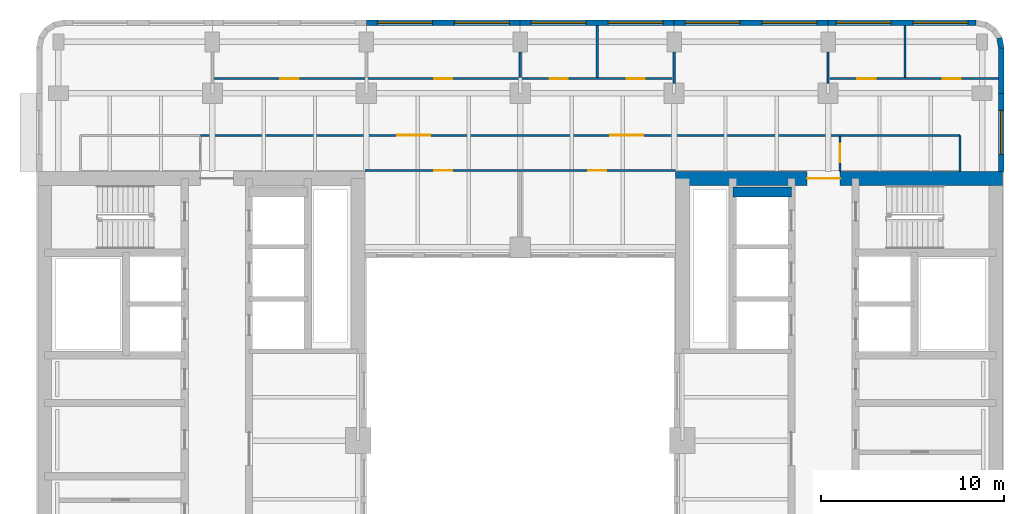
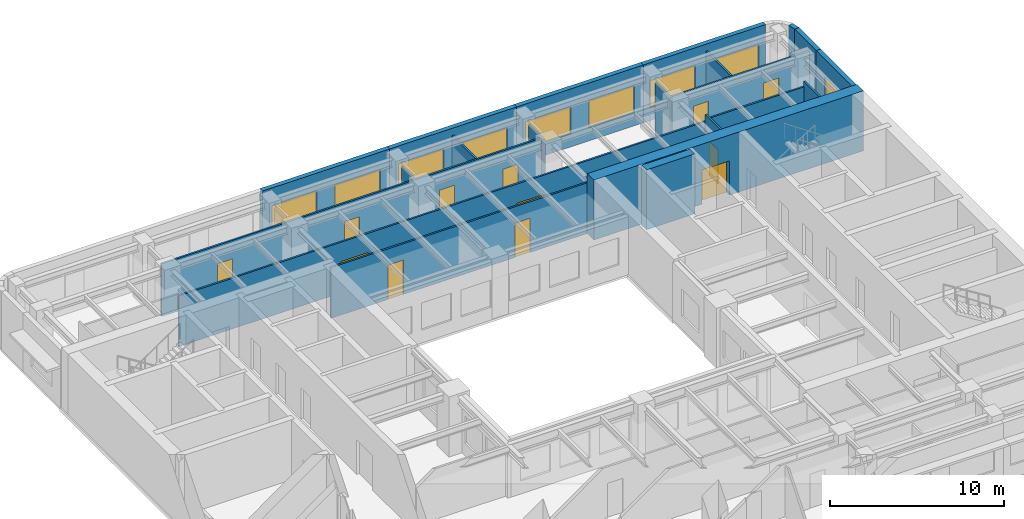
# One storey, part 7 of 11: 21 walls, 12 doors, 9 windows, 21 openings.
"""IFC4 building model written with IfcOpenShell, lengths in metres."""

from ifc_helpers import new_model, si_unit, direction, frame, frame_2d, origin, place, context, subcontext, project, spatial, rectangle, extrude, material, layer, layer_set, type_object, element, fill, save


model = new_model("IFC4")

# Units and contexts
model_context = context("Model", 3, precision=1e-05, world=origin(), true_north=direction((0.0, 1.0)))
body_context = subcontext(model_context, "Body", "Model", "MODEL_VIEW")
ifc_project = project(units=[si_unit("LENGTHUNIT", "METRE"), si_unit("AREAUNIT", "SQUARE_METRE"), si_unit("VOLUMEUNIT", "CUBIC_METRE"), si_unit("PLANEANGLEUNIT", "RADIAN"), si_unit("MASSUNIT", "GRAM", prefix="KILO")], contexts=[model_context])

# Site, building, storey
site_placement = place(None, origin())
site = spatial("IfcSite", under=ifc_project, at=site_placement, CompositionType="ELEMENT")
building_placement = place(site_placement, origin())
building = spatial("IfcBuilding", under=site, at=building_placement, Name="Claustro Exchange Tower", CompositionType="ELEMENT")
storey_placement = place(building_placement, frame((0.0, 0.0, 228.0)))
storey = spatial("IfcBuildingStorey", under=building, at=storey_placement, Name="L52", CompositionType="ELEMENT", Elevation=228.0)

# Wall, openings, doors
ifc_material_1 = material(Name="Laminated glass in aluminium frame", Category="aluminium")
ifc_layer_1 = layer(ifc_material_1, 0.1201171875)
ifc_layer_set_1 = layer_set([ifc_layer_1], Name="Laminated glass in aluminium frame")
wall_type_1 = type_object("IfcWallType", Name="P2 120 glazed partition", PredefinedType="PARTITIONING", material=ifc_layer_set_1)
wall_1_placement = place(storey_placement, frame((8.39990234375, 42.800048828125, 0.0), z_axis=(0.0, 0.0, 1.0), x_axis=(1.0, 0.0, 0.0)))
wall_1 = element("IfcWall", 1, at=wall_1_placement, inside=storey, type_object=wall_type_1, Name="Partition P2 L52", PredefinedType="PARTITIONING", context=body_context, shape_type="SweptSolid", body=[
    extrude(rectangle(XDim=25.2001953125, YDim=0.1201171875, at=frame_2d((12.60009765625, 0.0))), origin(), (0.0, 0.0, 1.0), 3.68994140625),
])
opening_1_placement = place(wall_1_placement, frame((3.699951171875, 0.0, 0.0)))
opening_1 = element("IfcOpeningElement", 2, at=opening_1_placement, cuts=wall_1, Name="Opening D7", PredefinedType="OPENING", context=body_context, shape_type="SweptSolid", body=[
    extrude(rectangle(XDim=1.0, YDim=2.39990234375, at=frame_2d((0.5, 1.199951171875))), frame((0.0, 0.070068359375, 0.0), z_axis=(0.0, -1.0, 0.0), x_axis=(1.0, 0.0, 0.0)), (0.0, 0.0, 1.0), 0.14013671875),
])
opening_2_placement = place(wall_1_placement, frame((12.10009765625, 0.0, 0.0)))
opening_2 = element("IfcOpeningElement", 3, at=opening_2_placement, cuts=wall_1, Name="Opening D7", PredefinedType="OPENING", context=body_context, shape_type="SweptSolid", body=[
    extrude(rectangle(XDim=1.0, YDim=2.39990234375, at=frame_2d((0.5, 1.199951171875))), frame((0.0, 0.070068359375, 0.0), z_axis=(0.0, -1.0, 0.0), x_axis=(1.0, 0.0, 0.0)), (0.0, 0.0, 1.0), 0.14013671875),
])
opening_3_placement = place(wall_1_placement, frame((18.39990234375, 0.0, 0.0)))
opening_3 = element("IfcOpeningElement", 4, at=opening_3_placement, cuts=wall_1, Name="Opening D7", PredefinedType="OPENING", context=body_context, shape_type="SweptSolid", body=[
    extrude(rectangle(XDim=1.0, YDim=2.39990234375, at=frame_2d((0.5, 1.199951171875))), frame((0.0, 0.070068359375, 0.0), z_axis=(0.0, -1.0, 0.0), x_axis=(1.0, 0.0, 0.0)), (0.0, 0.0, 1.0), 0.14013671875),
])
opening_4_placement = place(wall_1_placement, frame((22.60009765625, 0.0, 0.0)))
opening_4 = element("IfcOpeningElement", 5, at=opening_4_placement, cuts=wall_1, Name="Opening D7", PredefinedType="OPENING", context=body_context, shape_type="SweptSolid", body=[
    extrude(rectangle(XDim=1.0, YDim=2.39990234375, at=frame_2d((0.5, 1.199951171875))), frame((0.0, 0.070068359375, 0.0), z_axis=(0.0, -1.0, 0.0), x_axis=(1.0, 0.0, 0.0)), (0.0, 0.0, 1.0), 0.14013671875),
])
ifc_material_2 = material(Name="Glass door in aluminium frame", Category="aluminium")
door_type_1 = type_object("IfcDoorType", Name="D7 1000 x 2400 glazed door", OperationType="SINGLE_SWING_LEFT", PredefinedType="DOOR", material=ifc_material_2)
door_1_placement = place(opening_1_placement, origin())
door_1 = element("IfcDoor", 6, at=door_1_placement, inside=storey, type_object=door_type_1, Name="Door D7 L52", OperationType="SINGLE_SWING_LEFT", OverallHeight=2.39990234375, OverallWidth=1.0, PredefinedType="DOOR", context=body_context, shape_type="SweptSolid", body=[
    extrude(rectangle(XDim=1.0, YDim=2.39990234375, at=frame_2d((0.5, 1.199951171875))), frame((0.0, 0.02490234375, 0.0), z_axis=(0.0, -1.0, 0.0), x_axis=(1.0, 0.0, 0.0)), (0.0, 0.0, 1.0), 0.050048828125),
])
fill(opening_1, door_1)
door_2_placement = place(opening_2_placement, origin())
door_2 = element("IfcDoor", 7, at=door_2_placement, inside=storey, type_object=door_type_1, Name="Door D7 L52", OperationType="SINGLE_SWING_RIGHT", OverallHeight=2.39990234375, OverallWidth=1.0, PredefinedType="DOOR", context=body_context, shape_type="SweptSolid", body=[
    extrude(rectangle(XDim=1.0, YDim=2.39990234375, at=frame_2d((0.5, 1.199951171875))), frame((0.0, 0.02490234375, 0.0), z_axis=(0.0, -1.0, 0.0), x_axis=(1.0, 0.0, 0.0)), (0.0, 0.0, 1.0), 0.050048828125),
])
fill(opening_2, door_2)
door_3_placement = place(opening_3_placement, origin())
door_3 = element("IfcDoor", 8, at=door_3_placement, inside=storey, type_object=door_type_1, Name="Door D7 L52", OperationType="SINGLE_SWING_LEFT", OverallHeight=2.39990234375, OverallWidth=1.0, PredefinedType="DOOR", context=body_context, shape_type="SweptSolid", body=[
    extrude(rectangle(XDim=1.0, YDim=2.39990234375, at=frame_2d((0.5, 1.199951171875))), frame((0.0, 0.02490234375, 0.0), z_axis=(0.0, -1.0, 0.0), x_axis=(1.0, 0.0, 0.0)), (0.0, 0.0, 1.0), 0.050048828125),
])
fill(opening_3, door_3)
door_4_placement = place(opening_4_placement, origin())
door_4 = element("IfcDoor", 9, at=door_4_placement, inside=storey, type_object=door_type_1, Name="Door D7 L52", OperationType="SINGLE_SWING_LEFT", OverallHeight=2.39990234375, OverallWidth=1.0, PredefinedType="DOOR", context=body_context, shape_type="SweptSolid", body=[
    extrude(rectangle(XDim=1.0, YDim=2.39990234375, at=frame_2d((0.5, 1.199951171875))), frame((0.0, 0.02490234375, 0.0), z_axis=(0.0, -1.0, 0.0), x_axis=(1.0, 0.0, 0.0)), (0.0, 0.0, 1.0), 0.050048828125),
])
fill(opening_4, door_4)

# Walls
wall_2_placement = place(storey_placement, frame((25.199951171875, 42.85791015625, 0.0), z_axis=(0.0, 0.0, 1.0), x_axis=(0.0, 1.0, 0.0)))
element("IfcWall", 10, at=wall_2_placement, inside=storey, type_object=wall_type_1, Name="Partition P2 L52", PredefinedType="PARTITIONING", context=body_context, shape_type="SweptSolid", body=[
    extrude(rectangle(XDim=1.39306640625, YDim=0.1201171875, at=frame_2d((0.696533203125, 0.0))), origin(), (0.0, 0.0, 1.0), 3.68994140625),
])
wall_3_placement = place(storey_placement, frame((29.39990234375, 42.85791015625, 0.0), z_axis=(0.0, 0.0, 1.0), x_axis=(0.0, 1.0, 0.0)))
element("IfcWall", 11, at=wall_3_placement, inside=storey, type_object=wall_type_1, Name="Partition P2 L52", PredefinedType="PARTITIONING", context=body_context, shape_type="SweptSolid", body=[
    extrude(rectangle(XDim=2.843994140625, YDim=0.1201171875, at=frame_2d((1.421875, 0.0))), origin(), (0.0, 0.0, 1.0), 3.56005859375),
])
wall_4_placement = place(storey_placement, frame((33.60009765625, 42.548095703125, 0.0), z_axis=(0.0, 0.0, 1.0), x_axis=(0.0, 1.0, 0.0)))
element("IfcWall", 12, at=wall_4_placement, inside=storey, type_object=wall_type_1, Name="Partition P2 L52", PredefinedType="PARTITIONING", context=body_context, shape_type="SweptSolid", body=[
    extrude(rectangle(XDim=1.702880859375, YDim=0.1201171875, at=frame_2d((0.8515625, 0.0))), origin(), (0.0, 0.0, 1.0), 3.68994140625),
])

# Wall, openings, doors
wall_5_placement = place(storey_placement, frame((42.0, 42.800048828125, 0.0), z_axis=(0.0, 0.0, 1.0), x_axis=(1.0, 0.0, 0.0)))
wall_5 = element("IfcWall", 13, at=wall_5_placement, inside=storey, type_object=wall_type_1, Name="Partition P2 L52", PredefinedType="PARTITIONING", context=body_context, shape_type="SweptSolid", body=[
    extrude(rectangle(XDim=9.302001953125, YDim=0.1201171875, at=frame_2d((4.65087890625, 0.0))), origin(), (0.0, 0.0, 1.0), 3.56005859375),
])
opening_5_placement = place(wall_5_placement, frame((1.60009765625, 0.0, 0.0)))
opening_5 = element("IfcOpeningElement", 14, at=opening_5_placement, cuts=wall_5, Name="Opening D7", PredefinedType="OPENING", context=body_context, shape_type="SweptSolid", body=[
    extrude(rectangle(XDim=1.0, YDim=2.39990234375, at=frame_2d((0.5, 1.199951171875))), frame((0.0, 0.070068359375, 0.0), z_axis=(0.0, -1.0, 0.0), x_axis=(1.0, 0.0, 0.0)), (0.0, 0.0, 1.0), 0.14013671875),
])
opening_6_placement = place(wall_5_placement, frame((6.25, 0.0, 0.0)))
opening_6 = element("IfcOpeningElement", 15, at=opening_6_placement, cuts=wall_5, Name="Opening D7", PredefinedType="OPENING", context=body_context, shape_type="SweptSolid", body=[
    extrude(rectangle(XDim=1.0, YDim=2.39990234375, at=frame_2d((0.5, 1.199951171875))), frame((0.0, 0.070068359375, 0.0), z_axis=(0.0, -1.0, 0.0), x_axis=(1.0, 0.0, 0.0)), (0.0, 0.0, 1.0), 0.14013671875),
])
door_5_placement = place(opening_5_placement, origin())
door_5 = element("IfcDoor", 16, at=door_5_placement, inside=storey, type_object=door_type_1, Name="Door D7 L52", OperationType="SINGLE_SWING_LEFT", OverallHeight=2.39990234375, OverallWidth=1.0, PredefinedType="DOOR", context=body_context, shape_type="SweptSolid", body=[
    extrude(rectangle(XDim=1.0, YDim=2.39990234375, at=frame_2d((0.5, 1.199951171875))), frame((0.0, 0.02490234375, 0.0), z_axis=(0.0, -1.0, 0.0), x_axis=(1.0, 0.0, 0.0)), (0.0, 0.0, 1.0), 0.050048828125),
])
fill(opening_5, door_5)
door_6_placement = place(opening_6_placement, origin())
door_6 = element("IfcDoor", 17, at=door_6_placement, inside=storey, type_object=door_type_1, Name="Door D7 L52", OperationType="SINGLE_SWING_LEFT", OverallHeight=2.39990234375, OverallWidth=1.0, PredefinedType="DOOR", context=body_context, shape_type="SweptSolid", body=[
    extrude(rectangle(XDim=1.0, YDim=2.39990234375, at=frame_2d((0.5, 1.199951171875))), frame((0.0, 0.02490234375, 0.0), z_axis=(0.0, -1.0, 0.0), x_axis=(1.0, 0.0, 0.0)), (0.0, 0.0, 1.0), 0.050048828125),
])
fill(opening_6, door_6)

# Walls
wall_6_placement = place(storey_placement, frame((42.0, 42.548095703125, 0.0), z_axis=(0.0, 0.0, 1.0), x_axis=(0.0, 1.0, 0.0)))
element("IfcWall", 18, at=wall_6_placement, inside=storey, type_object=wall_type_1, Name="Partition P2 L52", PredefinedType="PARTITIONING", context=body_context, shape_type="SweptSolid", body=[
    extrude(rectangle(XDim=1.702880859375, YDim=0.1201171875, at=frame_2d((0.8515625, 0.0))), origin(), (0.0, 0.0, 1.0), 3.68994140625),
])
wall_7_placement = place(storey_placement, frame((46.199951171875, 42.85791015625, 0.0), z_axis=(0.0, 0.0, 1.0), x_axis=(0.0, 1.0, 0.0)))
element("IfcWall", 19, at=wall_7_placement, inside=storey, type_object=wall_type_1, Name="Partition P2 L52", PredefinedType="PARTITIONING", context=body_context, shape_type="SweptSolid", body=[
    extrude(rectangle(XDim=2.843994140625, YDim=0.1201171875, at=frame_2d((1.421875, 0.0))), origin(), (0.0, 0.0, 1.0), 3.56005859375),
])

# Wall, openings, doors
wall_8_placement = place(storey_placement, frame((7.748046875, 39.699951171875, 0.0), z_axis=(0.0, 0.0, 1.0), x_axis=(1.0, 0.0, 0.0)))
wall_8 = element("IfcWall", 20, at=wall_8_placement, inside=storey, type_object=wall_type_1, Name="Partition P2 L52", PredefinedType="PARTITIONING", context=body_context, shape_type="SweptSolid", body=[
    extrude(rectangle(XDim=34.904052734375, YDim=0.1201171875, at=frame_2d((17.4521484375, 0.0))), origin(), (0.0, 0.0, 1.0), 3.550048828125),
])
opening_7_placement = place(wall_8_placement, frame((10.7353515625, 0.0, 0.0)))
opening_7 = element("IfcOpeningElement", 21, at=opening_7_placement, cuts=wall_8, Name="Opening D2", PredefinedType="OPENING", context=body_context, shape_type="SweptSolid", body=[
    extrude(rectangle(XDim=1.800048828125, YDim=2.199951171875, at=frame_2d((0.89990234375, 1.10009765625))), frame((0.0, 0.070068359375, 0.0), z_axis=(0.0, -1.0, 0.0), x_axis=(1.0, 0.0, 0.0)), (0.0, 0.0, 1.0), 0.14013671875),
])
opening_8_placement = place(wall_8_placement, frame((22.36865234375, 0.0, 0.0)))
opening_8 = element("IfcOpeningElement", 22, at=opening_8_placement, cuts=wall_8, Name="Opening D2", PredefinedType="OPENING", context=body_context, shape_type="SweptSolid", body=[
    extrude(rectangle(XDim=1.800048828125, YDim=2.199951171875, at=frame_2d((0.89990234375, 1.10009765625))), frame((0.0, 0.070068359375, 0.0), z_axis=(0.0, -1.0, 0.0), x_axis=(1.0, 0.0, 0.0)), (0.0, 0.0, 1.0), 0.14013671875),
])
ifc_material_3 = material(Name="Timber door, oak veneer", Category="wood")
door_type_2 = type_object("IfcDoorType", Name="D2 1800 x 2200 double door", OperationType="DOUBLE_DOOR_SINGLE_SWING", PredefinedType="DOOR", material=ifc_material_3)
door_7_placement = place(opening_7_placement, origin())
door_7 = element("IfcDoor", 23, at=door_7_placement, inside=storey, type_object=door_type_2, Name="Double door D2 L52", OperationType="DOUBLE_DOOR_SINGLE_SWING", OverallHeight=2.199951171875, OverallWidth=1.800048828125, PredefinedType="DOOR", context=body_context, shape_type="SweptSolid", body=[
    extrude(rectangle(XDim=1.800048828125, YDim=2.199951171875, at=frame_2d((0.89990234375, 1.10009765625))), frame((0.0, 0.02490234375, 0.0), z_axis=(0.0, -1.0, 0.0), x_axis=(1.0, 0.0, 0.0)), (0.0, 0.0, 1.0), 0.050048828125),
])
fill(opening_7, door_7)
door_8_placement = place(opening_8_placement, origin())
door_8 = element("IfcDoor", 24, at=door_8_placement, inside=storey, type_object=door_type_2, Name="Double door D2 L52", OperationType="DOUBLE_DOOR_SINGLE_SWING", OverallHeight=2.199951171875, OverallWidth=1.800048828125, PredefinedType="DOOR", context=body_context, shape_type="SweptSolid", body=[
    extrude(rectangle(XDim=1.800048828125, YDim=2.199951171875, at=frame_2d((0.89990234375, 1.10009765625))), frame((0.0, 0.02490234375, 0.0), z_axis=(0.0, -1.0, 0.0), x_axis=(1.0, 0.0, 0.0)), (0.0, 0.0, 1.0), 0.050048828125),
])
fill(opening_8, door_8)

# Wall, opening, door
wall_9_placement = place(storey_placement, frame((42.64990234375, 37.72412109375, 0.0), z_axis=(0.0, 0.0, 1.0), x_axis=(0.0, 1.0, 0.0)))
wall_9 = element("IfcWall", 25, at=wall_9_placement, inside=storey, type_object=wall_type_1, Name="Partition P2 L52", PredefinedType="PARTITIONING", context=body_context, shape_type="SweptSolid", body=[
    extrude(rectangle(XDim=1.91796875, YDim=0.1201171875, at=frame_2d((0.958984375, 0.0))), origin(), (0.0, 0.0, 1.0), 4.050048828125),
])
opening_9_placement = place(wall_9_placement, frame((0.52587890625, 0.0, 0.0)))
opening_9 = element("IfcOpeningElement", 26, at=opening_9_placement, cuts=wall_9, Name="Opening D7", PredefinedType="OPENING", context=body_context, shape_type="SweptSolid", body=[
    extrude(rectangle(XDim=1.0, YDim=2.39990234375, at=frame_2d((0.5, 1.199951171875))), frame((0.0, 0.070068359375, 0.0), z_axis=(0.0, -1.0, 0.0), x_axis=(1.0, 0.0, 0.0)), (0.0, 0.0, 1.0), 0.14013671875),
])
door_9_placement = place(opening_9_placement, frame((1.0, 0.0, 0.0), z_axis=(0.0, 0.0, 1.0), x_axis=(-1.0, 0.0, 0.0)))
door_9 = element("IfcDoor", 27, at=door_9_placement, inside=storey, type_object=door_type_1, Name="Door D7 L52", OperationType="SINGLE_SWING_RIGHT", OverallHeight=2.39990234375, OverallWidth=1.0, PredefinedType="DOOR", context=body_context, shape_type="SweptSolid", body=[
    extrude(rectangle(XDim=1.0, YDim=2.39990234375, at=frame_2d((0.5, 1.199951171875))), frame((0.0, 0.02490234375, 0.0), z_axis=(0.0, -1.0, 0.0), x_axis=(1.0, 0.0, 0.0)), (0.0, 0.0, 1.0), 0.050048828125),
])
fill(opening_9, door_9)

# Walls
wall_10_placement = place(storey_placement, frame((42.64794921875, 39.699951171875, 0.0), z_axis=(0.0, 0.0, 1.0), x_axis=(1.0, 0.0, 0.0)))
element("IfcWall", 28, at=wall_10_placement, inside=storey, type_object=wall_type_1, Name="Partition P2 L52", PredefinedType="PARTITIONING", context=body_context, shape_type="SweptSolid", body=[
    extrude(rectangle(XDim=6.552001953125, YDim=0.1201171875, at=frame_2d((3.27587890625, 0.0))), origin(), (0.0, 0.0, 1.0), 3.68994140625),
])
wall_11_placement = place(storey_placement, frame((49.199951171875, 37.72412109375, 0.0), z_axis=(0.0, 0.0, 1.0), x_axis=(0.0, 1.0, 0.0)))
element("IfcWall", 29, at=wall_11_placement, inside=storey, type_object=wall_type_1, Name="Partition P2 L52", PredefinedType="PARTITIONING", context=body_context, shape_type="SweptSolid", body=[
    extrude(rectangle(XDim=1.975830078125, YDim=0.1201171875, at=frame_2d((0.98779296875, 0.0))), origin(), (0.0, 0.0, 1.0), 4.050048828125),
])

# Wall, openings, doors
wall_12_placement = place(storey_placement, frame((16.72509765625, 37.784912109375, 0.0), z_axis=(0.0, 0.0, 1.0), x_axis=(1.0, 0.0, 0.0)))
wall_12 = element("IfcWall", 30, at=wall_12_placement, inside=storey, type_object=wall_type_1, Name="Partition P2 L52", PredefinedType="PARTITIONING", context=body_context, shape_type="SweptSolid", body=[
    extrude(rectangle(XDim=16.949951171875, YDim=0.1201171875, at=frame_2d((8.47509765625, 0.0))), origin(), (0.0, 0.0, 1.0), 3.550048828125),
])
opening_10_placement = place(wall_12_placement, frame((3.77490234375, 0.0, 0.0)))
opening_10 = element("IfcOpeningElement", 31, at=opening_10_placement, cuts=wall_12, Name="Opening D7", PredefinedType="OPENING", context=body_context, shape_type="SweptSolid", body=[
    extrude(rectangle(XDim=1.0, YDim=2.39990234375, at=frame_2d((0.5, 1.199951171875))), frame((0.0, 0.070068359375, 0.0), z_axis=(0.0, -1.0, 0.0), x_axis=(1.0, 0.0, 0.0)), (0.0, 0.0, 1.0), 0.14013671875),
])
opening_11_placement = place(wall_12_placement, frame((12.175048828125, 0.0, 0.0)))
opening_11 = element("IfcOpeningElement", 32, at=opening_11_placement, cuts=wall_12, Name="Opening D7", PredefinedType="OPENING", context=body_context, shape_type="SweptSolid", body=[
    extrude(rectangle(XDim=1.0, YDim=2.39990234375, at=frame_2d((0.5, 1.199951171875))), frame((0.0, 0.070068359375, 0.0), z_axis=(0.0, -1.0, 0.0), x_axis=(1.0, 0.0, 0.0)), (0.0, 0.0, 1.0), 0.14013671875),
])
door_10_placement = place(opening_10_placement, frame((1.0, 0.0, 0.0), z_axis=(0.0, 0.0, 1.0), x_axis=(-1.0, 0.0, 0.0)))
door_10 = element("IfcDoor", 33, at=door_10_placement, inside=storey, type_object=door_type_1, Name="Door D7 L52", OperationType="SINGLE_SWING_LEFT", OverallHeight=2.39990234375, OverallWidth=1.0, PredefinedType="DOOR", context=body_context, shape_type="SweptSolid", body=[
    extrude(rectangle(XDim=1.0, YDim=2.39990234375, at=frame_2d((0.5, 1.199951171875))), frame((0.0, 0.02490234375, 0.0), z_axis=(0.0, -1.0, 0.0), x_axis=(1.0, 0.0, 0.0)), (0.0, 0.0, 1.0), 0.050048828125),
])
fill(opening_10, door_10)
door_11_placement = place(opening_11_placement, frame((1.0, 0.0, 0.0), z_axis=(0.0, 0.0, 1.0), x_axis=(-1.0, 0.0, 0.0)))
door_11 = element("IfcDoor", 34, at=door_11_placement, inside=storey, type_object=door_type_1, Name="Door D7 L52", OperationType="SINGLE_SWING_LEFT", OverallHeight=2.39990234375, OverallWidth=1.0, PredefinedType="DOOR", context=body_context, shape_type="SweptSolid", body=[
    extrude(rectangle(XDim=1.0, YDim=2.39990234375, at=frame_2d((0.5, 1.199951171875))), frame((0.0, 0.02490234375, 0.0), z_axis=(0.0, -1.0, 0.0), x_axis=(1.0, 0.0, 0.0)), (0.0, 0.0, 1.0), 0.050048828125),
])
fill(opening_11, door_11)

# Wall, openings, windows
ifc_material_4 = material(Name="Concrete HA-40 (C40/50), precast, white cement, acid-etched", Category="concrete")
ifc_layer_2 = layer(ifc_material_4, 0.300048828125)
ifc_layer_set_2 = layer_set([ifc_layer_2], Name="Concrete HA-40 (C40/50), precast, white cement, acid-etched")
wall_type_2 = type_object("IfcWallType", Name="PC1 300 precast concrete pier panel", PredefinedType="SOLIDWALL", material=ifc_layer_set_2)
wall_13_placement = place(storey_placement, frame((16.800048828125, 45.85009765625, 0.0), z_axis=(0.0, 0.0, 1.0), x_axis=(1.0, 0.0, 0.0)))
wall_13 = element("IfcWall", 35, at=wall_13_placement, inside=storey, type_object=wall_type_2, Name="Precast pier panel PC1 L52", PredefinedType="SOLIDWALL", context=body_context, shape_type="SweptSolid", body=[
    extrude(rectangle(XDim=8.39990234375, YDim=0.300048828125, at=frame_2d((4.199951171875, 0.0))), origin(), (0.0, 0.0, 1.0), 4.050048828125),
])
opening_12_placement = place(wall_13_placement, frame((0.60009765625, 0.0, 0.89990234375)))
opening_12 = element("IfcOpeningElement", 36, at=opening_12_placement, cuts=wall_13, Name="Opening W1", PredefinedType="OPENING", context=body_context, shape_type="SweptSolid", body=[
    extrude(rectangle(XDim=3.0, YDim=1.89990234375, at=frame_2d((1.5, 0.949951171875))), frame((0.0, 0.159912109375, 0.0), z_axis=(0.0, -1.0, 0.0), x_axis=(1.0, 0.0, 0.0)), (0.0, 0.0, 1.0), 0.320068359375),
])
opening_13_placement = place(wall_13_placement, frame((4.800048828125, 0.0, 0.89990234375)))
opening_13 = element("IfcOpeningElement", 37, at=opening_13_placement, cuts=wall_13, Name="Opening W1", PredefinedType="OPENING", context=body_context, shape_type="SweptSolid", body=[
    extrude(rectangle(XDim=3.0, YDim=1.89990234375, at=frame_2d((1.5, 0.949951171875))), frame((0.0, 0.159912109375, 0.0), z_axis=(0.0, -1.0, 0.0), x_axis=(1.0, 0.0, 0.0)), (0.0, 0.0, 1.0), 0.320068359375),
])
ifc_material_5 = material(Name="Aluminium frame, clear double glazing", Category="aluminium")
window_type_1 = type_object("IfcWindowType", Name="W1 3000 x 1900 window", PartitioningType="SINGLE_PANEL", PredefinedType="WINDOW", material=ifc_material_5)
window_1_placement = place(opening_12_placement, origin())
window_1 = element("IfcWindow", 38, at=window_1_placement, inside=storey, type_object=window_type_1, Name="Window W1 L52", OverallHeight=1.89990234375, OverallWidth=3.0, PartitioningType="SINGLE_PANEL", PredefinedType="WINDOW", context=body_context, shape_type="SweptSolid", body=[
    extrude(rectangle(XDim=3.0, YDim=1.89990234375, at=frame_2d((1.5, 0.949951171875))), frame((0.0, 0.030029296875, 0.0), z_axis=(0.0, -1.0, 0.0), x_axis=(1.0, 0.0, 0.0)), (0.0, 0.0, 1.0), 0.06005859375),
])
fill(opening_12, window_1)
window_2_placement = place(opening_13_placement, origin())
window_2 = element("IfcWindow", 39, at=window_2_placement, inside=storey, type_object=window_type_1, Name="Window W1 L52", OverallHeight=1.89990234375, OverallWidth=3.0, PartitioningType="SINGLE_PANEL", PredefinedType="WINDOW", context=body_context, shape_type="SweptSolid", body=[
    extrude(rectangle(XDim=3.0, YDim=1.89990234375, at=frame_2d((1.5, 0.949951171875))), frame((0.0, 0.030029296875, 0.0), z_axis=(0.0, -1.0, 0.0), x_axis=(1.0, 0.0, 0.0)), (0.0, 0.0, 1.0), 0.06005859375),
])
fill(opening_13, window_2)

wall_14_placement = place(storey_placement, frame((25.199951171875, 45.85009765625, 0.0), z_axis=(0.0, 0.0, 1.0), x_axis=(1.0, 0.0, 0.0)))
wall_14 = element("IfcWall", 40, at=wall_14_placement, inside=storey, type_object=wall_type_2, Name="Precast pier panel PC1 L52", PredefinedType="SOLIDWALL", context=body_context, shape_type="SweptSolid", body=[
    extrude(rectangle(XDim=8.400146484375, YDim=0.300048828125, at=frame_2d((4.2001953125, 0.0))), origin(), (0.0, 0.0, 1.0), 4.050048828125),
])
opening_14_placement = place(wall_14_placement, frame((0.60009765625, 0.0, 0.89990234375)))
opening_14 = element("IfcOpeningElement", 41, at=opening_14_placement, cuts=wall_14, Name="Opening W1", PredefinedType="OPENING", context=body_context, shape_type="SweptSolid", body=[
    extrude(rectangle(XDim=3.0, YDim=1.89990234375, at=frame_2d((1.5, 0.949951171875))), frame((0.0, 0.159912109375, 0.0), z_axis=(0.0, -1.0, 0.0), x_axis=(1.0, 0.0, 0.0)), (0.0, 0.0, 1.0), 0.320068359375),
])
opening_15_placement = place(wall_14_placement, frame((4.800048828125, 0.0, 0.89990234375)))
opening_15 = element("IfcOpeningElement", 42, at=opening_15_placement, cuts=wall_14, Name="Opening W1", PredefinedType="OPENING", context=body_context, shape_type="SweptSolid", body=[
    extrude(rectangle(XDim=3.0, YDim=1.89990234375, at=frame_2d((1.5, 0.949951171875))), frame((0.0, 0.159912109375, 0.0), z_axis=(0.0, -1.0, 0.0), x_axis=(1.0, 0.0, 0.0)), (0.0, 0.0, 1.0), 0.320068359375),
])
window_3_placement = place(opening_14_placement, origin())
window_3 = element("IfcWindow", 43, at=window_3_placement, inside=storey, type_object=window_type_1, Name="Window W1 L52", OverallHeight=1.89990234375, OverallWidth=3.0, PartitioningType="SINGLE_PANEL", PredefinedType="WINDOW", context=body_context, shape_type="SweptSolid", body=[
    extrude(rectangle(XDim=3.0, YDim=1.89990234375, at=frame_2d((1.5, 0.949951171875))), frame((0.0, 0.030029296875, 0.0), z_axis=(0.0, -1.0, 0.0), x_axis=(1.0, 0.0, 0.0)), (0.0, 0.0, 1.0), 0.06005859375),
])
fill(opening_14, window_3)
window_4_placement = place(opening_15_placement, origin())
window_4 = element("IfcWindow", 44, at=window_4_placement, inside=storey, type_object=window_type_1, Name="Window W1 L52", OverallHeight=1.89990234375, OverallWidth=3.0, PartitioningType="SINGLE_PANEL", PredefinedType="WINDOW", context=body_context, shape_type="SweptSolid", body=[
    extrude(rectangle(XDim=3.0, YDim=1.89990234375, at=frame_2d((1.5, 0.949951171875))), frame((0.0, 0.030029296875, 0.0), z_axis=(0.0, -1.0, 0.0), x_axis=(1.0, 0.0, 0.0)), (0.0, 0.0, 1.0), 0.06005859375),
])
fill(opening_15, window_4)

wall_15_placement = place(storey_placement, frame((33.60009765625, 45.85009765625, 0.0), z_axis=(0.0, 0.0, 1.0), x_axis=(1.0, 0.0, 0.0)))
wall_15 = element("IfcWall", 45, at=wall_15_placement, inside=storey, type_object=wall_type_2, Name="Precast pier panel PC1 L52", PredefinedType="SOLIDWALL", context=body_context, shape_type="SweptSolid", body=[
    extrude(rectangle(XDim=8.39990234375, YDim=0.300048828125, at=frame_2d((4.199951171875, 0.0))), origin(), (0.0, 0.0, 1.0), 4.050048828125),
])
opening_16_placement = place(wall_15_placement, frame((0.60009765625, 0.0, 0.89990234375)))
opening_16 = element("IfcOpeningElement", 46, at=opening_16_placement, cuts=wall_15, Name="Opening W1", PredefinedType="OPENING", context=body_context, shape_type="SweptSolid", body=[
    extrude(rectangle(XDim=3.0, YDim=1.89990234375, at=frame_2d((1.5, 0.949951171875))), frame((0.0, 0.159912109375, 0.0), z_axis=(0.0, -1.0, 0.0), x_axis=(1.0, 0.0, 0.0)), (0.0, 0.0, 1.0), 0.320068359375),
])
opening_17_placement = place(wall_15_placement, frame((4.800048828125, 0.0, 0.89990234375)))
opening_17 = element("IfcOpeningElement", 47, at=opening_17_placement, cuts=wall_15, Name="Opening W1", PredefinedType="OPENING", context=body_context, shape_type="SweptSolid", body=[
    extrude(rectangle(XDim=3.0, YDim=1.89990234375, at=frame_2d((1.5, 0.949951171875))), frame((0.0, 0.159912109375, 0.0), z_axis=(0.0, -1.0, 0.0), x_axis=(1.0, 0.0, 0.0)), (0.0, 0.0, 1.0), 0.320068359375),
])
window_5_placement = place(opening_16_placement, origin())
window_5 = element("IfcWindow", 48, at=window_5_placement, inside=storey, type_object=window_type_1, Name="Window W1 L52", OverallHeight=1.89990234375, OverallWidth=3.0, PartitioningType="SINGLE_PANEL", PredefinedType="WINDOW", context=body_context, shape_type="SweptSolid", body=[
    extrude(rectangle(XDim=3.0, YDim=1.89990234375, at=frame_2d((1.5, 0.949951171875))), frame((0.0, 0.030029296875, 0.0), z_axis=(0.0, -1.0, 0.0), x_axis=(1.0, 0.0, 0.0)), (0.0, 0.0, 1.0), 0.06005859375),
])
fill(opening_16, window_5)
window_6_placement = place(opening_17_placement, origin())
window_6 = element("IfcWindow", 49, at=window_6_placement, inside=storey, type_object=window_type_1, Name="Window W1 L52", OverallHeight=1.89990234375, OverallWidth=3.0, PartitioningType="SINGLE_PANEL", PredefinedType="WINDOW", context=body_context, shape_type="SweptSolid", body=[
    extrude(rectangle(XDim=3.0, YDim=1.89990234375, at=frame_2d((1.5, 0.949951171875))), frame((0.0, 0.030029296875, 0.0), z_axis=(0.0, -1.0, 0.0), x_axis=(1.0, 0.0, 0.0)), (0.0, 0.0, 1.0), 0.06005859375),
])
fill(opening_17, window_6)

wall_16_placement = place(storey_placement, frame((42.0, 45.85009765625, 0.0), z_axis=(0.0, 0.0, 1.0), x_axis=(1.0, 0.0, 0.0)))
wall_16 = element("IfcWall", 50, at=wall_16_placement, inside=storey, type_object=wall_type_2, Name="Precast pier panel PC1 L52", PredefinedType="SOLIDWALL", context=body_context, shape_type="SweptSolid", body=[
    extrude(rectangle(XDim=8.085205078125, YDim=0.300048828125, at=frame_2d((4.04248046875, 0.0))), origin(), (0.0, 0.0, 1.0), 4.050048828125),
])
opening_18_placement = place(wall_16_placement, frame((0.442626953125, 0.0, 0.89990234375)))
opening_18 = element("IfcOpeningElement", 51, at=opening_18_placement, cuts=wall_16, Name="Opening W1", PredefinedType="OPENING", context=body_context, shape_type="SweptSolid", body=[
    extrude(rectangle(XDim=3.0, YDim=1.89990234375, at=frame_2d((1.5, 0.949951171875))), frame((0.0, 0.159912109375, 0.0), z_axis=(0.0, -1.0, 0.0), x_axis=(1.0, 0.0, 0.0)), (0.0, 0.0, 1.0), 0.320068359375),
])
opening_19_placement = place(wall_16_placement, frame((4.642578125, 0.0, 0.89990234375)))
opening_19 = element("IfcOpeningElement", 52, at=opening_19_placement, cuts=wall_16, Name="Opening W1", PredefinedType="OPENING", context=body_context, shape_type="SweptSolid", body=[
    extrude(rectangle(XDim=3.0, YDim=1.89990234375, at=frame_2d((1.5, 0.949951171875))), frame((0.0, 0.159912109375, 0.0), z_axis=(0.0, -1.0, 0.0), x_axis=(1.0, 0.0, 0.0)), (0.0, 0.0, 1.0), 0.320068359375),
])
window_7_placement = place(opening_18_placement, origin())
window_7 = element("IfcWindow", 53, at=window_7_placement, inside=storey, type_object=window_type_1, Name="Window W1 L52", OverallHeight=1.89990234375, OverallWidth=3.0, PartitioningType="SINGLE_PANEL", PredefinedType="WINDOW", context=body_context, shape_type="SweptSolid", body=[
    extrude(rectangle(XDim=3.0, YDim=1.89990234375, at=frame_2d((1.5, 0.949951171875))), frame((0.0, 0.030029296875, 0.0), z_axis=(0.0, -1.0, 0.0), x_axis=(1.0, 0.0, 0.0)), (0.0, 0.0, 1.0), 0.06005859375),
])
fill(opening_18, window_7)
window_8_placement = place(opening_19_placement, origin())
window_8 = element("IfcWindow", 54, at=window_8_placement, inside=storey, type_object=window_type_1, Name="Window W1 L52", OverallHeight=1.89990234375, OverallWidth=3.0, PartitioningType="SINGLE_PANEL", PredefinedType="WINDOW", context=body_context, shape_type="SweptSolid", body=[
    extrude(rectangle(XDim=3.0, YDim=1.89990234375, at=frame_2d((1.5, 0.949951171875))), frame((0.0, 0.030029296875, 0.0), z_axis=(0.0, -1.0, 0.0), x_axis=(1.0, 0.0, 0.0)), (0.0, 0.0, 1.0), 0.06005859375),
])
fill(opening_19, window_8)

# Walls
wall_17_placement = place(storey_placement, frame((51.344482421875, 45.015380859375, 0.0), z_axis=(0.0, 0.0, 1.0), x_axis=(0.195073962632, -0.980788534345, 0.0)))
element("IfcWall", 55, at=wall_17_placement, inside=storey, type_object=wall_type_2, Name="Precast pier panel PC1 L52", PredefinedType="SOLIDWALL", context=body_context, shape_type="SweptSolid", body=[
    extrude(rectangle(XDim=0.540771484375, YDim=0.300048828125, at=frame_2d((0.2705078125, 0.0))), origin(), (0.0, 0.0, 1.0), 4.050048828125),
])
wall_18_placement = place(storey_placement, frame((51.449951171875, 44.485107421875, 0.0), z_axis=(0.0, 0.0, 1.0), x_axis=(0.0, -1.0, 0.0)))
element("IfcWall", 56, at=wall_18_placement, inside=storey, type_object=wall_type_2, Name="Precast pier panel PC1 L52", PredefinedType="SOLIDWALL", context=body_context, shape_type="SweptSolid", body=[
    extrude(rectangle(XDim=2.485107421875, YDim=0.300048828125, at=frame_2d((1.24267578125, 0.0))), origin(), (0.0, 0.0, 1.0), 4.050048828125),
])

# Wall, opening, window
wall_19_placement = place(storey_placement, frame((51.449951171875, 42.0, 0.0), z_axis=(0.0, 0.0, 1.0), x_axis=(0.0, -1.0, 0.0)))
wall_19 = element("IfcWall", 57, at=wall_19_placement, inside=storey, type_object=wall_type_2, Name="Precast pier panel PC1 L52", PredefinedType="SOLIDWALL", context=body_context, shape_type="SweptSolid", body=[
    extrude(rectangle(XDim=4.27490234375, YDim=0.300048828125, at=frame_2d((2.137451171875, 0.0))), origin(), (0.0, 0.0, 1.0), 4.050048828125),
])
opening_20_placement = place(wall_19_placement, frame((0.9375, 0.0, 0.89990234375)))
opening_20 = element("IfcOpeningElement", 58, at=opening_20_placement, cuts=wall_19, Name="Opening W2", PredefinedType="OPENING", context=body_context, shape_type="SweptSolid", body=[
    extrude(rectangle(XDim=2.39990234375, YDim=1.89990234375, at=frame_2d((1.199951171875, 0.949951171875))), frame((0.0, 0.159912109375, 0.0), z_axis=(0.0, -1.0, 0.0), x_axis=(1.0, 0.0, 0.0)), (0.0, 0.0, 1.0), 0.320068359375),
])
ifc_material_6 = material(Name="Aluminium frame, clear double glazing", Category="aluminium")
window_type_2 = type_object("IfcWindowType", Name="W2 2400 x 1900 window", PartitioningType="SINGLE_PANEL", PredefinedType="WINDOW", material=ifc_material_6)
window_9_placement = place(opening_20_placement, origin())
window_9 = element("IfcWindow", 59, at=window_9_placement, inside=storey, type_object=window_type_2, Name="Window W2 L52", OverallHeight=1.89990234375, OverallWidth=2.39990234375, PartitioningType="SINGLE_PANEL", PredefinedType="WINDOW", context=body_context, shape_type="SweptSolid", body=[
    extrude(rectangle(XDim=2.39990234375, YDim=1.89990234375, at=frame_2d((1.199951171875, 0.949951171875))), frame((0.0, 0.030029296875, 0.0), z_axis=(0.0, -1.0, 0.0), x_axis=(1.0, 0.0, 0.0)), (0.0, 0.0, 1.0), 0.06005859375),
])
fill(opening_20, window_9)

# Wall, opening, door
ifc_material_7 = material(Name="Concrete HA-70 (C70/85)", Category="concrete")
ifc_layer_3 = layer(ifc_material_7, 0.75)
ifc_layer_set_3 = layer_set([ifc_layer_3], Name="Concrete HA-70 (C70/85)")
wall_type_3 = type_object("IfcWallType", Name="SW2 750 core shear wall", PredefinedType="SHEAR", material=ifc_layer_set_3)
wall_20_placement = place(storey_placement, frame((33.675048828125, 37.35009765625, 0.0), z_axis=(0.0, 0.0, 1.0), x_axis=(1.0, 0.0, 0.0)))
wall_20 = element("IfcWall", 60, at=wall_20_placement, inside=storey, type_object=wall_type_3, Name="Core wall SW2 E core N face L52", PredefinedType="SHEAR", context=body_context, shape_type="SweptSolid", body=[
    extrude(rectangle(XDim=17.849853515625, YDim=0.75, at=frame_2d((8.9248046875, 0.0))), origin(), (0.0, 0.0, 1.0), 4.199951171875),
])
opening_21_placement = place(wall_20_placement, frame((7.175048828125, 0.0, 0.0)))
opening_21 = element("IfcOpeningElement", 61, at=opening_21_placement, cuts=wall_20, Name="Opening D3", PredefinedType="OPENING", context=body_context, shape_type="SweptSolid", body=[
    extrude(rectangle(XDim=1.800048828125, YDim=2.39990234375, at=frame_2d((0.89990234375, 1.199951171875))), frame((0.0, 0.385009765625, 0.0), z_axis=(0.0, -1.0, 0.0), x_axis=(1.0, 0.0, 0.0)), (0.0, 0.0, 1.0), 0.77001953125),
])
ifc_material_8 = material(Name="Steel fire door, painted", Category="steel")
door_type_3 = type_object("IfcDoorType", Name="D3 1800 x 2400 fire-rated lobby double door", OperationType="DOUBLE_DOOR_SINGLE_SWING", PredefinedType="DOOR", material=ifc_material_8)
door_12_placement = place(opening_21_placement, frame((1.800048828125, 0.0, 0.0), z_axis=(0.0, 0.0, 1.0), x_axis=(-1.0, 0.0, 0.0)))
door_12 = element("IfcDoor", 62, at=door_12_placement, inside=storey, type_object=door_type_3, Name="Lift lobby door D3 L52", OperationType="DOUBLE_DOOR_SINGLE_SWING", OverallHeight=2.39990234375, OverallWidth=1.800048828125, PredefinedType="DOOR", context=body_context, shape_type="SweptSolid", body=[
    extrude(rectangle(XDim=1.800048828125, YDim=2.39990234375, at=frame_2d((0.89990234375, 1.199951171875))), frame((0.0, 0.02490234375, 0.0), z_axis=(0.0, -1.0, 0.0), x_axis=(1.0, 0.0, 0.0)), (0.0, 0.0, 1.0), 0.050048828125),
])
fill(opening_21, door_12)

# Wall
ifc_material_9 = material(Name="Concrete HA-50 (C50/60)", Category="concrete")
ifc_layer_4 = layer(ifc_material_9, 0.550048828125)
ifc_layer_set_4 = layer_set([ifc_layer_4], Name="Concrete HA-50 (C50/60)")
wall_type_4 = type_object("IfcWallType", Name="SW6 550 lift shaft end wall", PredefinedType="SHEAR", material=ifc_layer_set_4)
wall_21_placement = place(storey_placement, frame((40.0, 36.625, 0.0), z_axis=(0.0, 0.0, 1.0), x_axis=(-1.0, 0.0, 0.0)))
element("IfcWall", 63, at=wall_21_placement, inside=storey, type_object=wall_type_4, Name="Lift shaft wall E core L52", PredefinedType="SHEAR", context=body_context, shape_type="SweptSolid", body=[
    extrude(rectangle(XDim=3.199951171875, YDim=0.550048828125, at=frame_2d((1.60009765625, 0.0))), origin(), (0.0, 0.0, 1.0), 4.199951171875),
])

save(model, "model.ifc")
